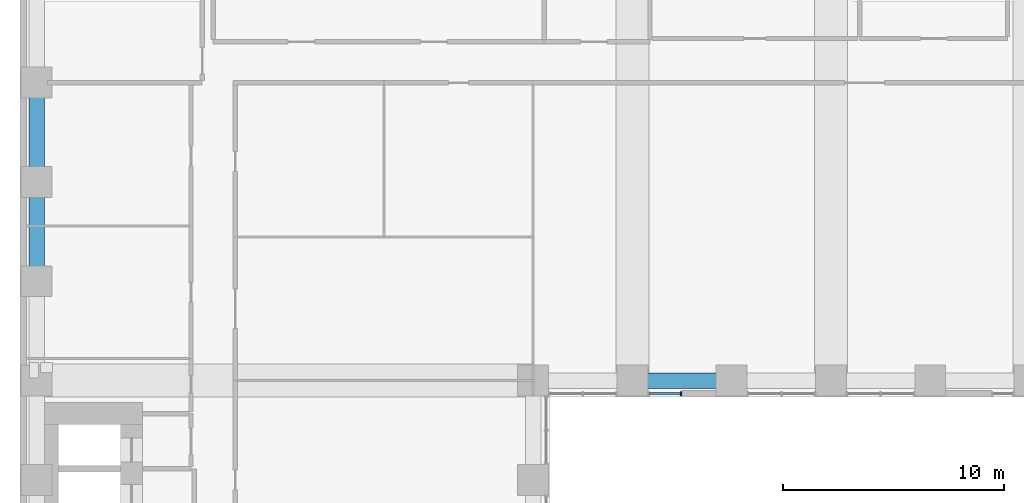
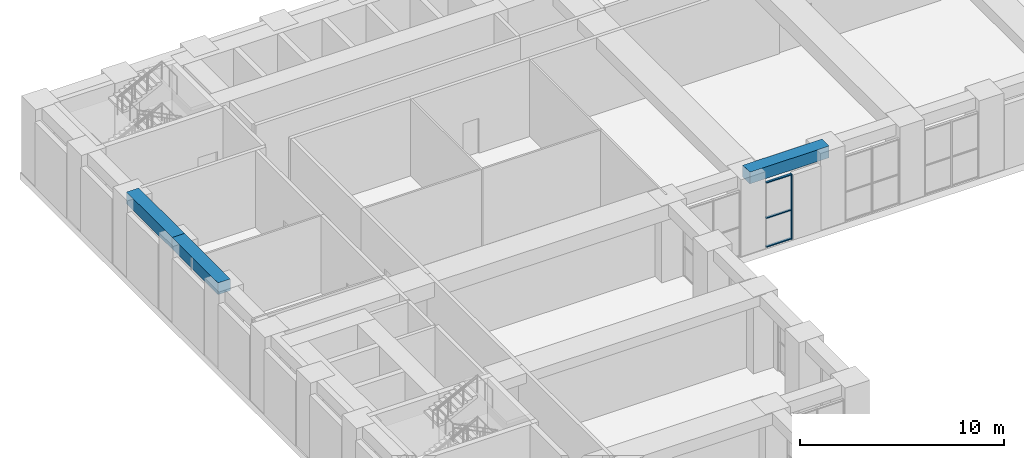
# One storey, part 4 of 34: 4 members, 3 beams, 1 element without a shape of its own.
"""IFC4 building model written with IfcOpenShell, lengths in metres."""

from ifc_helpers import new_model, si_unit, direction, frame, origin, origin_2d, place, context, subcontext, project, spatial, rectangle, extrude, material, material_profile, profile_set, type_object, element, aggregate, save


model = new_model("IFC4")

# Units and contexts
model_context = context("Model", 3, precision=1e-05, world=origin(), true_north=direction((0.0, 1.0)))
body_context = subcontext(model_context, "Body", "Model", "MODEL_VIEW")
ifc_project = project(units=[si_unit("LENGTHUNIT", "METRE"), si_unit("AREAUNIT", "SQUARE_METRE"), si_unit("VOLUMEUNIT", "CUBIC_METRE"), si_unit("PLANEANGLEUNIT", "RADIAN"), si_unit("MASSUNIT", "GRAM", prefix="KILO")], contexts=[model_context])

# Site, building, storey
site_placement = place(None, origin())
site = spatial("IfcSite", under=ifc_project, at=site_placement, CompositionType="ELEMENT")
building_placement = place(site_placement, origin())
building = spatial("IfcBuilding", under=site, at=building_placement, Name="Firuza Court", CompositionType="ELEMENT")
storey_placement = place(building_placement, frame((0.0, 0.0, 14.0)))
storey = spatial("IfcBuildingStorey", under=building, at=storey_placement, Name="L02", CompositionType="ELEMENT", Elevation=14.0)

# Curtain wall, member
ifc_material_1 = material(Name="Aluminium curtain wall, triple clear glazing", Category="aluminium")
curtain_wall_type = type_object("IfcCurtainWallType", Name="Podium unitised curtain wall CW1", PredefinedType="NOTDEFINED", material=ifc_material_1)
curtain_wall_placement = place(storey_placement, origin())
curtain_wall = element("IfcCurtainWall", 1, at=curtain_wall_placement, inside=storey, type_object=curtain_wall_type, Name="Podium unitised curtain wall CW1 L02", PredefinedType="NOTDEFINED")
ifc_material_2 = material(Name="Aluminium EN AW-6060 T66", Category="aluminium")
ifc_material_profile_1 = material_profile(ifc_material_2, rectangle(XDim=0.179931640625, YDim=0.06005859375, at=origin_2d()), Name="Mullion 180 x 60 CW1")
ifc_profile_set_1 = profile_set([ifc_material_profile_1], Name="Aluminium EN AW-6060 T66")
member_type_1 = type_object("IfcMemberType", Name="Mullion 180 x 60 CW1", PredefinedType="MULLION", material=ifc_profile_set_1)
member_1_placement = place(storey_placement, frame((29.205810546875, 35.39990234375, 0.0), z_axis=(0.0, 0.0, 1.0), x_axis=(0.0, 1.0, 0.0)))
member_1 = element("IfcMember", 2, at=member_1_placement, type_object=member_type_1, Name="CW1 mullion 2", PredefinedType="MULLION", context=body_context, shape_type="SweptSolid", body=[
    extrude(rectangle(XDim=0.179931640625, YDim=0.06005859375, at=origin_2d()), origin(), (0.0, 0.0, 1.0), 3.89990234375),
])

# Beams
ifc_material_3 = material(Name="Concrete C40/50", Category="concrete")
ifc_material_profile_2 = material_profile(ifc_material_3, rectangle(XDim=0.699951171875, YDim=0.699951171875, at=origin_2d()), Name="RC 700x700")
ifc_profile_set_2 = profile_set([ifc_material_profile_2], Name="Concrete C40/50")
beam_type = type_object("IfcBeamType", Name="Spandrel beam RC 700x700 C40/50", PredefinedType="BEAM", material=ifc_profile_set_2)
for number, where, z_axis, x_axis, name in (
    (3, (0.0, 45.0, 4.25), (0.0, -1.0, 0.0), (1.0, 0.0, 0.0), "Spandrel beam SP8 level L03"),
    (4, (0.0, 49.5, 4.25), (0.0, -1.0, 0.0), (1.0, 0.0, 0.0), "Spandrel beam SP8 level L03"),
    (5, (27.0, 36.0, 4.25), (1.0, 0.0, 0.0), (0.0, 1.0, 0.0), "Spandrel beam SP8 level L03"),
):
    element("IfcBeam", number, at=place(storey_placement, frame(where, z_axis=z_axis, x_axis=x_axis)), inside=storey, type_object=beam_type, Name=name, PredefinedType="BEAM", context=body_context, shape_type="SweptSolid", body=[
        extrude(rectangle(XDim=0.699951171875, YDim=0.699951171875, at=origin_2d()), origin(), (0.0, 0.0, 1.0), 4.5),
    ])

# Member
ifc_material_4 = material(Name="Aluminium EN AW-6060 T66", Category="aluminium")
ifc_material_profile_3 = material_profile(ifc_material_4, rectangle(XDim=0.1201171875, YDim=0.06005859375, at=origin_2d()), Name="Transom 120 x 60 CW1")
ifc_profile_set_3 = profile_set([ifc_material_profile_3], Name="Aluminium EN AW-6060 T66")
member_type_2 = type_object("IfcMemberType", Name="Transom 120 x 60 CW1", PredefinedType="USERDEFINED", material=ifc_profile_set_3)
member_2_placement = place(storey_placement, frame((27.760009765625, 35.39990234375, 0.030029296875), z_axis=(1.0, 0.0, 0.0), x_axis=(0.0, 1.0, 0.0)))
member_2 = element("IfcMember", 6, at=member_2_placement, type_object=member_type_2, Name="CW1 transom 1.1", ObjectType="TRANSOM", PredefinedType="USERDEFINED", context=body_context, shape_type="SweptSolid", body=[
    extrude(rectangle(XDim=0.1201171875, YDim=0.06005859375, at=origin_2d()), origin(), (0.0, 0.0, 1.0), 1.415771484375),
])

member_3_placement = place(storey_placement, frame((27.760009765625, 35.39990234375, 1.7548828125), z_axis=(1.0, 0.0, 0.0), x_axis=(0.0, 1.0, 0.0)))
member_3 = element("IfcMember", 7, at=member_3_placement, type_object=member_type_2, Name="CW1 transom 1.2", ObjectType="TRANSOM", PredefinedType="USERDEFINED", context=body_context, shape_type="SweptSolid", body=[
    extrude(rectangle(XDim=0.1201171875, YDim=0.06005859375, at=origin_2d()), origin(), (0.0, 0.0, 1.0), 1.415771484375),
])

member_4_placement = place(storey_placement, frame((27.760009765625, 35.39990234375, 3.8701171875), z_axis=(1.0, 0.0, 0.0), x_axis=(0.0, 1.0, 0.0)))
member_4 = element("IfcMember", 8, at=member_4_placement, type_object=member_type_2, Name="CW1 transom 1.3", ObjectType="TRANSOM", PredefinedType="USERDEFINED", context=body_context, shape_type="SweptSolid", body=[
    extrude(rectangle(XDim=0.1201171875, YDim=0.06005859375, at=origin_2d()), origin(), (0.0, 0.0, 1.0), 1.415771484375),
])

aggregate(curtain_wall, [member_1, member_2, member_3, member_4])

save(model, "model.ifc")
